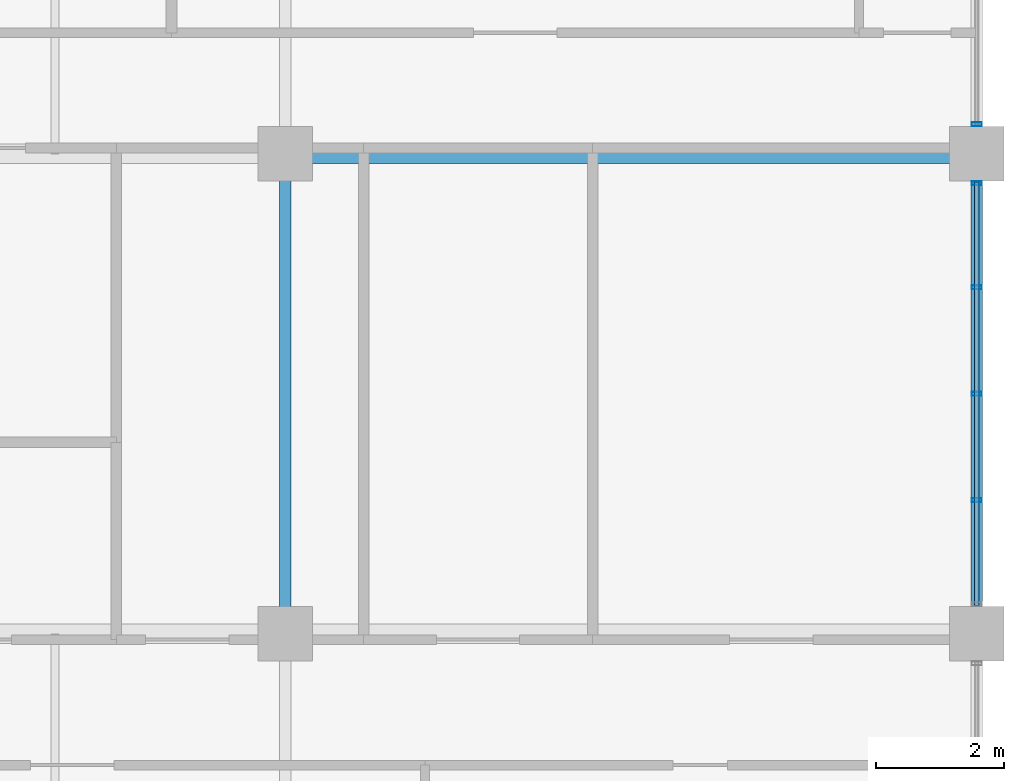
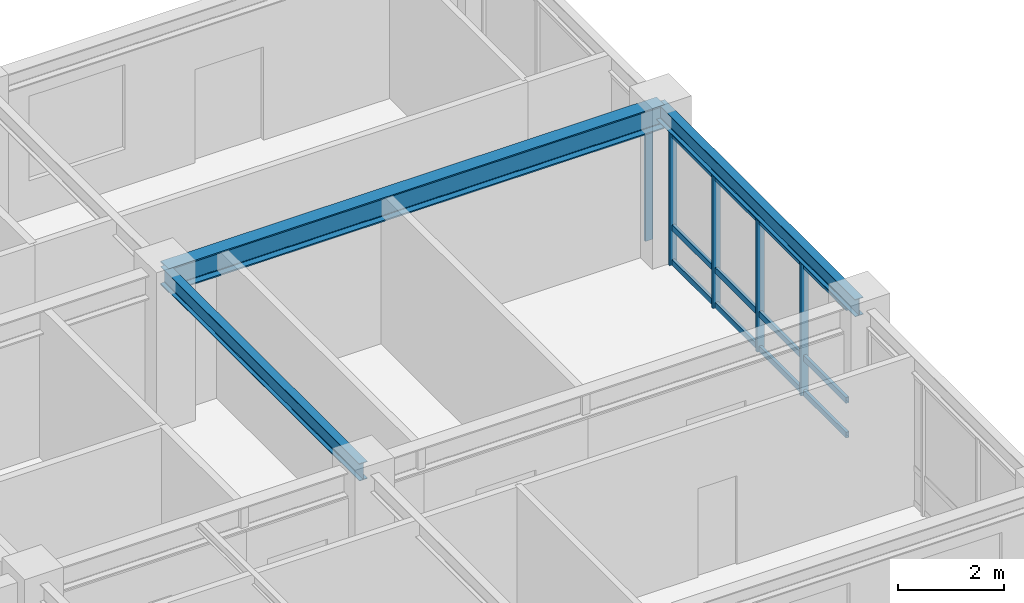
# One storey, part 3 of 11: 8 members, 3 beams, 2 elements without a shape of their own.
"""IFC4 building model written with IfcOpenShell, lengths in metres."""

import ifcopenshell
import ifcopenshell.guid

model = None  # the IFC model being written
_history = None  # IfcOwnerHistory: only IFC2X3 demands one
_inside = {}  # id of a spatial element -> (the spatial element, [elements in it])
_under = {}  # id of a project, library or spatial element -> (it, [spatial elements below it])
_declared = {}  # id of a project -> (the project, [libraries it declares])
_typed = {}  # id of a type object -> (the type object, [elements of that type])
_made_of = {}  # id of a material, layer set ... -> (it, [elements and type objects made of it])


def new_model(schema):
    """Start an empty IFC model of exactly this schema.

    Asked for "IFC4X3", IfcOpenShell would pick the latest addendum, in which some entities
    have other attributes; the version numbers below select the first issue.
    IFC2X3 requires an IfcOwnerHistory on every rooted entity: one is made here for all.
    """
    global model, _history
    if schema == "IFC4X3":
        model = ifcopenshell.file(schema_version=(4, 3, 0, 0))
    else:
        model = ifcopenshell.file(schema=schema)
    _inside.clear()
    _under.clear()
    _declared.clear()
    _typed.clear()
    _made_of.clear()
    _history = None
    if model.schema == "IFC2X3":
        org = make("IfcOrganization", Name="unknown")
        user = make(
            "IfcPersonAndOrganization",
            ThePerson=make("IfcPerson", FamilyName="unknown"),
            TheOrganization=org,
        )
        app = make(
            "IfcApplication",
            ApplicationDeveloper=org,
            Version="unknown",
            ApplicationFullName="unknown",
            ApplicationIdentifier="unknown",
        )
        _history = make(
            "IfcOwnerHistory",
            OwningUser=user,
            OwningApplication=app,
            ChangeAction="ADDED",
            CreationDate=0,
        )
    return model


def make(cls, **values):
    """One entity of the class cls with the attributes given. An attribute that is None is left unset."""
    return model.create_entity(
        cls, **{name: value for name, value in values.items() if value is not None}
    )


def rooted(cls, **values):
    """An entity with a GlobalId (a new one), such as an element, a storey or a relation."""
    return make(cls, GlobalId=ifcopenshell.guid.new(), OwnerHistory=_history, **values)


def si_unit(unit_type, name, prefix=None):
    """IfcSIUnit, for example si_unit("LENGTHUNIT", "METRE", prefix="MILLI")."""
    return make("IfcSIUnit", UnitType=unit_type, Prefix=prefix, Name=name)


def assignment(units):
    """IfcUnitAssignment: the units of a project."""
    return None if units is None else make("IfcUnitAssignment", Units=units)


def point(xyz):
    """IfcCartesianPoint."""
    return None if xyz is None else make("IfcCartesianPoint", Coordinates=xyz)


def direction(xyz):
    """IfcDirection."""
    return None if xyz is None else make("IfcDirection", DirectionRatios=xyz)


def frame(location, z_axis=None, x_axis=None):
    """IfcAxis2Placement3D, a coordinate frame: its origin and axes. An axis left out is left unset."""
    return make(
        "IfcAxis2Placement3D",
        Location=point(location),
        Axis=direction(z_axis),
        RefDirection=direction(x_axis),
    )


def frame_2d(location, x_axis=None):
    """IfcAxis2Placement2D, a coordinate frame in the plane: its origin and x axis."""
    return make(
        "IfcAxis2Placement2D", Location=point(location), RefDirection=direction(x_axis)
    )


def origin():
    """The frame at (0, 0, 0) with its axes left unset."""
    return frame((0.0, 0.0, 0.0))


def origin_2d():
    """The frame at (0, 0) in the plane with its x axis left unset."""
    return frame_2d((0.0, 0.0))


def place(relative_to, where):
    """IfcLocalPlacement: puts the frame where relative to a parent placement (None: the world)."""
    return make(
        "IfcLocalPlacement", PlacementRelTo=relative_to, RelativePlacement=where
    )


def context(
    kind, dimensions, precision=None, world=None, true_north=None, identifier=None
):
    """IfcGeometricRepresentationContext, for example the 3D "Model" context."""
    return make(
        "IfcGeometricRepresentationContext",
        ContextIdentifier=identifier,
        ContextType=kind,
        CoordinateSpaceDimension=dimensions,
        Precision=precision,
        WorldCoordinateSystem=world,
        TrueNorth=true_north,
    )


def subcontext(parent, identifier, kind, view, scale=None):
    """IfcGeometricRepresentationSubContext, for example "Body" below "Model"."""
    return make(
        "IfcGeometricRepresentationSubContext",
        ContextIdentifier=identifier,
        ContextType=kind,
        ParentContext=parent,
        TargetScale=scale,
        TargetView=view,
    )


def project(units=None, contexts=None):
    """IfcProject with its units and contexts."""
    return rooted(
        "IfcProject",
        Name="project",
        RepresentationContexts=contexts,
        UnitsInContext=assignment(units),
    )


def spatial(cls, under=None, at=None, **own):
    """A site, building, storey or space (cls), placed at a placement, below another one or the project."""
    s = rooted(cls, ObjectPlacement=at, **own)
    if under is not None:
        _under.setdefault(under.id(), (under, []))[1].append(s)
    return s


def profile(cls, at=None, kind="AREA", **sizes):
    """A parametric profile (cls). Its sizes go by their IFC names, for example OverallWidth=200.0."""
    return make(cls, ProfileType=kind, Position=at, **sizes)


def hollow_rectangle(**sizes):
    """IfcRectangleHollowProfileDef."""
    return profile("IfcRectangleHollowProfileDef", **sizes)


def i_section(**sizes):
    """IfcIShapeProfileDef."""
    return profile("IfcIShapeProfileDef", **sizes)


def extrude(swept, where, along, depth):
    """IfcExtrudedAreaSolid: the profile swept, set in the frame where, extruded along a direction by depth."""
    return make(
        "IfcExtrudedAreaSolid",
        SweptArea=swept,
        Position=where,
        ExtrudedDirection=direction(along),
        Depth=depth,
    )


def shape(context_of_items, identifier, shape_type, items):
    """IfcShapeRepresentation: the items that make up one representation, for example the "Body"."""
    return make(
        "IfcShapeRepresentation",
        ContextOfItems=context_of_items,
        RepresentationIdentifier=identifier,
        RepresentationType=shape_type,
        Items=items,
    )


def source(mapping_origin, context_of_items, identifier, shape_type, items):
    """IfcRepresentationMap: a shape defined once, which mapped items show again and again."""
    return make(
        "IfcRepresentationMap",
        MappingOrigin=mapping_origin,
        MappedRepresentation=shape(context_of_items, identifier, shape_type, items),
    )


def transform(
    local_origin,
    x_axis=None,
    y_axis=None,
    z_axis=None,
    scale=None,
    scale2=None,
    scale3=None,
    uniform=True,
):
    """IfcCartesianTransformationOperator3D, or its non-uniform kind. x_axis, y_axis, z_axis: its Axis1, 2, 3."""
    if uniform:
        return make(
            "IfcCartesianTransformationOperator3D",
            Axis1=direction(x_axis),
            Axis2=direction(y_axis),
            LocalOrigin=point(local_origin),
            Scale=scale,
            Axis3=direction(z_axis),
        )
    return make(
        "IfcCartesianTransformationOperator3DnonUniform",
        Axis1=direction(x_axis),
        Axis2=direction(y_axis),
        LocalOrigin=point(local_origin),
        Scale=scale,
        Axis3=direction(z_axis),
        Scale2=scale2,
        Scale3=scale3,
    )


def mapped(mapping_source, mapping_target):
    """IfcMappedItem: shows the shape of a source again, moved by a transform."""
    return make(
        "IfcMappedItem", MappingSource=mapping_source, MappingTarget=mapping_target
    )


def material(Name=None, Category=None):
    """IfcMaterial."""
    return make("IfcMaterial", Name=Name, Category=Category)


def layer(
    of_material, thickness, ventilated=None, Name=None, Category=None, Priority=None
):
    """IfcMaterialLayer: one layer of a wall or slab, of a material (None: an air gap)."""
    return make(
        "IfcMaterialLayer",
        Material=of_material,
        LayerThickness=thickness,
        IsVentilated=ventilated,
        Name=Name,
        Category=Category,
        Priority=Priority,
    )


def layer_set(layers, Name=None):
    """IfcMaterialLayerSet."""
    return make("IfcMaterialLayerSet", MaterialLayers=layers, LayerSetName=Name)


def material_profile(
    of_material, cross_section, Name=None, Category=None, Priority=None
):
    """IfcMaterialProfile: a cross section and its material."""
    return make(
        "IfcMaterialProfile",
        Name=Name,
        Material=of_material,
        Profile=cross_section,
        Priority=Priority,
        Category=Category,
    )


def profile_set(profiles, Name=None, composite=None):
    """IfcMaterialProfileSet."""
    return make(
        "IfcMaterialProfileSet",
        Name=Name,
        MaterialProfiles=profiles,
        CompositeProfile=composite,
    )


def made_of(thing, what):
    """Note that an element or type object is made of a material, layer set ...; save() writes the relation."""
    if what is not None:
        _made_of.setdefault(what.id(), (what, []))[1].append(thing)
    return thing


def type_object(cls, material=None, **own):
    """A type object (cls), such as IfcWallType, which elements share."""
    return made_of(rooted(cls, **own), material)


def element(
    cls,
    number,
    at=None,
    inside=None,
    cuts=None,
    type_object=None,
    material=None,
    context=None,
    identifier="Body",
    shape_type=None,
    held_by="IfcProductDefinitionShape",
    body=None,
    shapes=None,
    **own,
):
    """One element of the class cls, such as IfcWall. Its Tag is "e" and its number.

    at: its placement. inside: the storey or other place that contains it. cuts: it is an
    opening in that element (IfcRelVoidsElement). A single representation is given by context,
    identifier, shape_type and body (its items); several are given by shapes. held_by: the class
    of the entity that holds the representations. save() writes the other relations.
    """
    e = rooted(cls, Tag="e%d" % number, ObjectPlacement=at, **own)
    if body is not None:
        shapes = [shape(context, identifier, shape_type, body)]
    if shapes is not None:
        e.Representation = make(held_by, Representations=shapes)
    if inside is not None:
        _inside.setdefault(inside.id(), (inside, []))[1].append(e)
    if cuts is not None:
        rooted(
            "IfcRelVoidsElement", RelatingBuildingElement=cuts, RelatedOpeningElement=e
        )
    if type_object is not None:
        _typed.setdefault(type_object.id(), (type_object, []))[1].append(e)
    return made_of(e, material)


def aggregate(whole, parts):
    """IfcRelAggregates: a whole, such as a stair, and the parts it consists of."""
    return rooted("IfcRelAggregates", RelatingObject=whole, RelatedObjects=parts)


def save(model, path):
    """Write the relations noted so far, then the file.

    IfcRelAggregates (storeys below a building ...), IfcRelContainedInSpatialStructure (elements
    in a storey), IfcRelDefinesByType, IfcRelAssociatesMaterial and IfcRelDeclares: one each for
    every whole, place, type object, material and project.
    """
    for whole, parts in _under.values():
        aggregate(whole, parts)
    for where, things in _inside.values():
        rooted(
            "IfcRelContainedInSpatialStructure",
            RelatedElements=things,
            RelatingStructure=where,
        )
    for kind, things in _typed.values():
        rooted("IfcRelDefinesByType", RelatedObjects=things, RelatingType=kind)
    for what, things in _made_of.values():
        rooted("IfcRelAssociatesMaterial", RelatedObjects=things, RelatingMaterial=what)
    for by, libraries in _declared.values():
        rooted("IfcRelDeclares", RelatingContext=by, RelatedDefinitions=libraries)
    model.write(path)


model = new_model("IFC4")

# Units and contexts
model_context = context("Model", 3, precision=1e-05, world=origin(), true_north=direction((0.0, 1.0)))
body_context = subcontext(model_context, "Body", "Model", "MODEL_VIEW")
ifc_project = project(units=[si_unit("LENGTHUNIT", "METRE"), si_unit("AREAUNIT", "SQUARE_METRE"), si_unit("VOLUMEUNIT", "CUBIC_METRE"), si_unit("PLANEANGLEUNIT", "RADIAN"), si_unit("MASSUNIT", "GRAM", prefix="KILO")], contexts=[model_context])

# Site, building, storey
site_placement = place(None, origin())
site = spatial("IfcSite", under=ifc_project, at=site_placement, CompositionType="ELEMENT")
building_placement = place(site_placement, origin())
building = spatial("IfcBuilding", under=site, at=building_placement, Name="Kaliganga Portal Commons", CompositionType="ELEMENT")
storey_placement = place(building_placement, frame((0.0, 0.0, 268.39990234375)))
storey = spatial("IfcBuildingStorey", under=building, at=storey_placement, Name="L69", CompositionType="ELEMENT", Elevation=268.39990234375)

# Beams
ifc_material_1 = material(Name="Structural steel S355J2", Category="steel")
ifc_material_profile_1 = material_profile(ifc_material_1, i_section(OverallWidth=0.300048828125, OverallDepth=0.550048828125, WebThickness=0.014892578125, FlangeThickness=0.029052734375, FilletRadius=0.027099609375, at=origin_2d()), Name="HE 550 B")
ifc_profile_set_1 = profile_set([ifc_material_profile_1], Name="Structural steel S355J2 wide-flange")
beam_type_1 = type_object("IfcBeamType", Name="BM-GIRD-550", PredefinedType="USERDEFINED", material=ifc_profile_set_1)
shared_shape_1 = source(origin(), body_context, "Body", "SweptSolid", [
    extrude(i_section(OverallWidth=0.300048828125, OverallDepth=0.550048828125, WebThickness=0.014892578125, FlangeThickness=0.029052734375, FilletRadius=0.027099609375, at=origin_2d()), origin(), (0.0, 0.0, 1.0), 10.800048828125),
])
beam_placement = place(storey_placement, frame((36.0, 36.14990234375, 3.2001953125), z_axis=(1.0, 0.0, 0.0), x_axis=(0.0, 1.0, 0.0)))
element("IfcBeam", 1, at=beam_placement, inside=storey, type_object=beam_type_1, Name="BM G L69 WAE_N 2", ObjectType="GIRDER", PredefinedType="USERDEFINED", context=body_context, shape_type="MappedRepresentation", body=[
    mapped(shared_shape_1, transform((0.0, 0.0, 0.0), x_axis=(1.0, 0.0, 0.0), y_axis=(0.0, 1.0, 0.0), z_axis=(0.0, 0.0, 1.0), scale=1.0)),
])
ifc_material_profile_2 = material_profile(ifc_material_1, i_section(OverallWidth=0.179931640625, OverallDepth=0.39990234375, WebThickness=0.008544921875, FlangeThickness=0.013427734375, FilletRadius=0.02099609375, at=origin_2d()), Name="IPE 400")
ifc_profile_set_2 = profile_set([ifc_material_profile_2], Name="Structural steel S355J2 wide-flange")
beam_type_2 = type_object("IfcBeamType", Name="BM-FLR-400", PredefinedType="BEAM", material=ifc_profile_set_2)
shared_shape_2 = source(origin(), body_context, "Body", "SweptSolid", [
    extrude(i_section(OverallWidth=0.179931640625, OverallDepth=0.39990234375, WebThickness=0.008544921875, FlangeThickness=0.013427734375, FilletRadius=0.02099609375, at=origin_2d()), origin(), (0.0, 0.0, 1.0), 7.5),
])
for number, where, z_axis, x_axis, name in (
    (2, (36.0, 28.64990234375, 3.275146484375), (0.0, 1.0, 0.0), (-1.0, 0.0, 0.0), "BM G L69 AM360"),
    (3, (46.800048828125, 28.64990234375, 3.275146484375), (0.0, 1.0, 0.0), (-1.0, 0.0, 0.0), "BM G L69 AM468"),
):
    element("IfcBeam", number, at=place(storey_placement, frame(where, z_axis=z_axis, x_axis=x_axis)), inside=storey, type_object=beam_type_2, Name=name, PredefinedType="BEAM", context=body_context, shape_type="MappedRepresentation", body=[
        mapped(shared_shape_2, transform((0.0, 0.0, 0.0), x_axis=(1.0, 0.0, 0.0), y_axis=(0.0, 1.0, 0.0), z_axis=(0.0, 0.0, 1.0), scale=1.0)),
    ])

# Curtain wall, members
ifc_material_2 = material(Name="Anodized Aluminium and Laminated Low-E Glass", Category="aluminium")
ifc_layer = layer(ifc_material_2, 0.18994140625)
ifc_layer_set = layer_set([ifc_layer], Name="Anodized Aluminium and Laminated Low-E Glass")
curtain_wall_type = type_object("IfcCurtainWallType", Name="CW-SYS-05", PredefinedType="NOTDEFINED", material=ifc_layer_set)
curtain_wall_1_placement = place(storey_placement, origin())
curtain_wall_1 = element("IfcCurtainWall", 4, at=curtain_wall_1_placement, inside=storey, type_object=curtain_wall_type, Name="CW 05 L69 P1E01S2", PredefinedType="NOTDEFINED")
ifc_material_3 = material(Name="Dark Bronze Anodized Aluminium", Category="aluminium")
ifc_material_profile_3 = material_profile(ifc_material_3, hollow_rectangle(XDim=0.06494140625, YDim=0.135009765625, WallThickness=0.00341796875, at=origin_2d()), Name="ALU TRAN 65x135x3.5")
ifc_profile_set_3 = profile_set([ifc_material_profile_3], Name="Dark Bronze Anodized Aluminium")
member_type_1 = type_object("IfcMemberType", Name="CW-TRN-135", PredefinedType="USERDEFINED", material=ifc_profile_set_3)
shared_shape_3 = source(origin(), body_context, "Body", "SweptSolid", [
    extrude(hollow_rectangle(XDim=0.06494140625, YDim=0.135009765625, WallThickness=0.00341796875, at=origin_2d()), origin(), (0.0, 0.0, 1.0), 6.608154296875),
])
member_1_placement = place(storey_placement, frame((46.800048828125, 29.095947265625, 0.06005859375), z_axis=(0.0, 1.0, 0.0), x_axis=(-1.0, 0.0, 0.0)))
member_1 = element("IfcMember", 5, at=member_1_placement, type_object=member_type_1, Name="CW:05:L69:P1E01S2 Transom 1", ObjectType="TRANSOM", PredefinedType="USERDEFINED", context=body_context, shape_type="MappedRepresentation", body=[
    mapped(shared_shape_3, transform((0.0, 0.0, 0.0), x_axis=(1.0, 0.0, 0.0), y_axis=(0.0, 1.0, 0.0), z_axis=(0.0, 0.0, 1.0), scale=1.0)),
])
member_2_placement = place(storey_placement, frame((46.800048828125, 29.095947265625, 0.861083984375), z_axis=(0.0, 1.0, 0.0), x_axis=(-1.0, 0.0, 0.0)))
member_2 = element("IfcMember", 6, at=member_2_placement, type_object=member_type_1, Name="CW:05:L69:P1E01S2 Transom 2", ObjectType="TRANSOM", PredefinedType="USERDEFINED", context=body_context, shape_type="MappedRepresentation", body=[
    mapped(shared_shape_3, transform((0.0, 0.0, 0.0), x_axis=(1.0, 0.0, 0.0), y_axis=(0.0, 1.0, 0.0), z_axis=(0.0, 0.0, 1.0), scale=1.0)),
])
member_3_placement = place(storey_placement, frame((46.800048828125, 29.095947265625, 2.9951171875), z_axis=(0.0, 1.0, 0.0), x_axis=(-1.0, 0.0, 0.0)))
member_3 = element("IfcMember", 7, at=member_3_placement, type_object=member_type_1, Name="CW:05:L69:P1E01S2 Transom 3", ObjectType="TRANSOM", PredefinedType="USERDEFINED", context=body_context, shape_type="MappedRepresentation", body=[
    mapped(shared_shape_3, transform((0.0, 0.0, 0.0), x_axis=(1.0, 0.0, 0.0), y_axis=(0.0, 1.0, 0.0), z_axis=(0.0, 0.0, 1.0), scale=1.0)),
])
ifc_material_profile_4 = material_profile(ifc_material_3, hollow_rectangle(XDim=0.06005859375, YDim=0.159912109375, WallThickness=0.00341796875, at=origin_2d()), Name="ALU MULL 60x160x3.5")
ifc_profile_set_4 = profile_set([ifc_material_profile_4], Name="Dark Bronze Anodized Aluminium")
member_type_2 = type_object("IfcMemberType", Name="CW-MUL-160", PredefinedType="MULLION", material=ifc_profile_set_4)
shared_shape_4 = source(origin(), body_context, "Body", "SweptSolid", [
    extrude(hollow_rectangle(XDim=0.06005859375, YDim=0.159912109375, WallThickness=0.00341796875, at=origin_2d()), origin(), (0.0, 0.0, 1.0), 3.0751953125),
])
member_4_placement = place(storey_placement, frame((46.800048828125, 30.738037109375, 0.0), z_axis=(0.0, 0.0, 1.0), x_axis=(0.0, 1.0, 0.0)))
member_4 = element("IfcMember", 8, at=member_4_placement, type_object=member_type_2, Name="CW:05:L69:P1E01S2 Mullion 01", PredefinedType="MULLION", context=body_context, shape_type="MappedRepresentation", body=[
    mapped(shared_shape_4, transform((0.0, 0.0, 0.0), x_axis=(1.0, 0.0, 0.0), y_axis=(0.0, 1.0, 0.0), z_axis=(0.0, 0.0, 1.0), scale=1.0)),
])
member_5_placement = place(storey_placement, frame((46.800048828125, 32.39990234375, 0.0), z_axis=(0.0, 0.0, 1.0), x_axis=(0.0, 1.0, 0.0)))
member_5 = element("IfcMember", 9, at=member_5_placement, type_object=member_type_2, Name="CW:05:L69:P1E01S2 Mullion 02", PredefinedType="MULLION", context=body_context, shape_type="MappedRepresentation", body=[
    mapped(shared_shape_4, transform((0.0, 0.0, 0.0), x_axis=(1.0, 0.0, 0.0), y_axis=(0.0, 1.0, 0.0), z_axis=(0.0, 0.0, 1.0), scale=1.0)),
])
member_6_placement = place(storey_placement, frame((46.800048828125, 34.06201171875, 0.0), z_axis=(0.0, 0.0, 1.0), x_axis=(0.0, 1.0, 0.0)))
member_6 = element("IfcMember", 10, at=member_6_placement, type_object=member_type_2, Name="CW:05:L69:P1E01S2 Mullion 03", PredefinedType="MULLION", context=body_context, shape_type="MappedRepresentation", body=[
    mapped(shared_shape_4, transform((0.0, 0.0, 0.0), x_axis=(1.0, 0.0, 0.0), y_axis=(0.0, 1.0, 0.0), z_axis=(0.0, 0.0, 1.0), scale=1.0)),
])
member_7_placement = place(storey_placement, frame((46.800048828125, 35.68896484375, 0.0), z_axis=(0.0, 0.0, 1.0), x_axis=(0.0, 1.0, 0.0)))
member_7 = element("IfcMember", 11, at=member_7_placement, type_object=member_type_2, Name="CW:05:L69:P1E01S2 Mullion 04", PredefinedType="MULLION", context=body_context, shape_type="MappedRepresentation", body=[
    mapped(shared_shape_4, transform((0.0, 0.0, 0.0), x_axis=(1.0, 0.0, 0.0), y_axis=(0.0, 1.0, 0.0), z_axis=(0.0, 0.0, 1.0), scale=1.0)),
])
aggregate(curtain_wall_1, [member_4, member_5, member_6, member_7, member_1, member_2, member_3])

# Curtain wall, member
curtain_wall_2_placement = place(storey_placement, origin())
curtain_wall_2 = element("IfcCurtainWall", 12, at=curtain_wall_2_placement, inside=storey, type_object=curtain_wall_type, Name="CW 05 L69 P1E01S3", PredefinedType="NOTDEFINED")
member_8_placement = place(storey_placement, frame((46.800048828125, 36.611083984375, 0.0), z_axis=(0.0, 0.0, 1.0), x_axis=(0.0, 1.0, 0.0)))
member_8 = element("IfcMember", 13, at=member_8_placement, type_object=member_type_2, Name="CW:05:L69:P1E01S3 Mullion 00", PredefinedType="MULLION", context=body_context, shape_type="MappedRepresentation", body=[
    mapped(shared_shape_4, transform((0.0, 0.0, 0.0), x_axis=(1.0, 0.0, 0.0), y_axis=(0.0, 1.0, 0.0), z_axis=(0.0, 0.0, 1.0), scale=1.0)),
])
aggregate(curtain_wall_2, [member_8])

save(model, "model.ifc")
